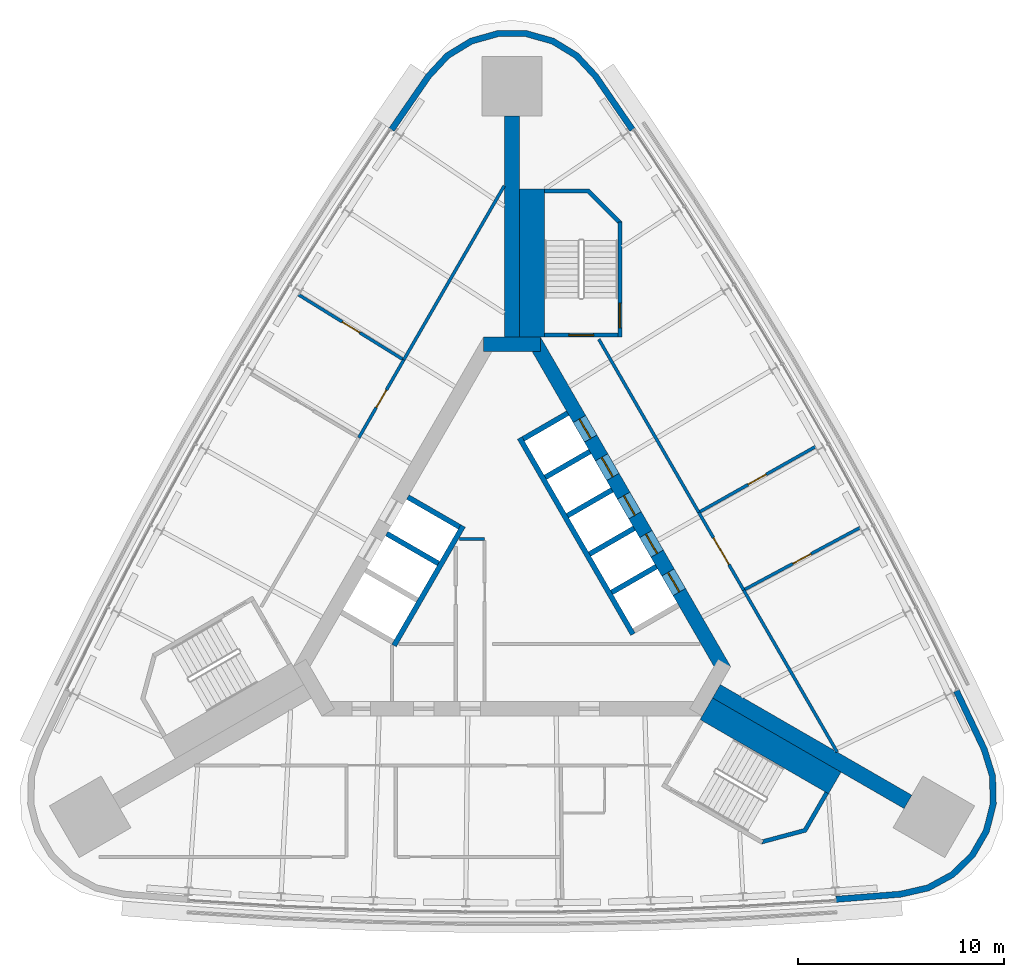
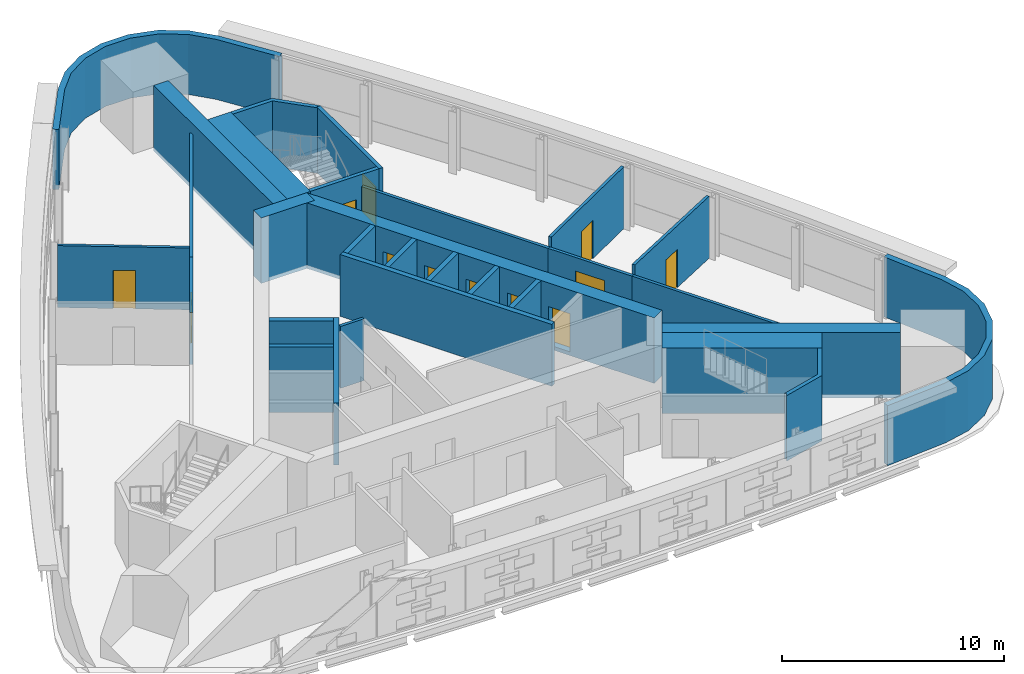
# One storey, part 9 of 12: 30 walls, 12 doors, 12 openings.
"""IFC4 building model written with IfcOpenShell, lengths in metres."""

from ifc_helpers import new_model, si_unit, direction, frame, frame_2d, origin, place, context, subcontext, project, spatial, polyline, rectangle, outline, extrude, material, layer, layer_set, type_object, element, fill, save


model = new_model("IFC4")

# Units and contexts
model_context = context("Model", 3, precision=1e-05, world=origin(), true_north=direction((0.0, 1.0)))
body_context = subcontext(model_context, "Body", "Model", "MODEL_VIEW")
ifc_project = project(units=[si_unit("LENGTHUNIT", "METRE"), si_unit("AREAUNIT", "SQUARE_METRE"), si_unit("VOLUMEUNIT", "CUBIC_METRE"), si_unit("PLANEANGLEUNIT", "RADIAN"), si_unit("MASSUNIT", "GRAM", prefix="KILO")], contexts=[model_context])

# Site, building, storey
site_placement = place(None, origin())
site = spatial("IfcSite", under=ifc_project, at=site_placement, CompositionType="ELEMENT")
building_placement = place(site_placement, origin())
building = spatial("IfcBuilding", under=site, at=building_placement, Name="Noor Cloister Tower", CompositionType="ELEMENT")
storey_placement = place(building_placement, frame((0.0, 0.0, 150.89990234375)))
storey = spatial("IfcBuildingStorey", under=building, at=storey_placement, Name="L38", CompositionType="ELEMENT", Elevation=150.89990234375)

# Walls
ifc_material_1 = material(Name="Concrete C70/85", Category="concrete")
ifc_layer_1 = layer(ifc_material_1, 0.75)
ifc_layer_set_1 = layer_set([ifc_layer_1], Name="Buttress wall 750 C70/85")
wall_type_1 = type_object("IfcWallType", Name="Buttress wall 750 C70/85", PredefinedType="SHEAR", material=ifc_layer_set_1)
wall_1_placement = place(storey_placement, frame((0.0, 11.456298828125, -0.199951171875), z_axis=(0.0, 0.0, 1.0), x_axis=(0.0, 1.0, 0.0)))
element("IfcWall", 1, at=wall_1_placement, inside=storey, type_object=wall_type_1, Name="Buttress wall N L38", PredefinedType="SHEAR", context=body_context, shape_type="SweptSolid", body=[
    extrude(rectangle(XDim=10.735595703125, YDim=0.75, at=frame_2d((5.36767578125, 0.0))), origin(), (0.0, 0.0, 1.0), 3.60009765625),
])
wall_2_placement = place(storey_placement, frame((9.921630859375, -5.728271484375, -0.199951171875), z_axis=(0.0, 0.0, 1.0), x_axis=(0.86602614826, -0.499998710529, 0.0)))
element("IfcWall", 2, at=wall_2_placement, inside=storey, type_object=wall_type_1, Name="Buttress wall SE L38", PredefinedType="SHEAR", context=body_context, shape_type="SweptSolid", body=[
    extrude(rectangle(XDim=10.7353515625, YDim=0.75, at=frame_2d((5.36767578125, 0.0))), origin(), (0.0, 0.0, 1.0), 3.60009765625),
])
ifc_material_2 = material(Name="Concrete C30/37", Category="concrete")
ifc_layer_2 = layer(ifc_material_2, 0.14990234375)
ifc_layer_set_2 = layer_set([ifc_layer_2], Name="Core partition 150 C30/37")
wall_type_2 = type_object("IfcWallType", Name="Core partition 150 C30/37", PredefinedType="PARTITIONING", material=ifc_layer_set_2)
wall_3_placement = place(storey_placement, frame((-2.544189453125, 1.671875, 0.0), z_axis=(0.0, 0.0, 1.0), x_axis=(1.0, 0.0, 0.0)))
element("IfcWall", 3, at=wall_3_placement, inside=storey, type_object=wall_type_2, Name="Core room partition L38 4", PredefinedType="PARTITIONING", context=body_context, shape_type="SweptSolid", body=[
    extrude(rectangle(XDim=1.215576171875, YDim=0.14990234375, at=frame_2d((0.60791015625, 0.0))), origin(), (0.0, 0.0, 1.0), 3.400146484375),
])

# Wall, openings, doors
ifc_material_3 = material(Name="Concrete C70/85", Category="concrete")
ifc_layer_3 = layer(ifc_material_3, 0.699951171875)
ifc_layer_set_3 = layer_set([ifc_layer_3], Name="Core wall 700 C70/85")
wall_type_3 = type_object("IfcWallType", Name="Core wall 700 C70/85", PredefinedType="SHEAR", material=ifc_layer_set_3)
wall_4_placement = place(storey_placement, frame((10.311279296875, -4.703125, -0.199951171875), z_axis=(0.0, 0.0, 1.0), x_axis=(-0.500001446645, 0.866024568562, 0.0)))
wall_4 = element("IfcWall", 4, at=wall_4_placement, inside=storey, type_object=wall_type_3, Name="Core wall L38 3", PredefinedType="SHEAR", context=body_context, shape_type="SweptSolid", body=[
    extrude(rectangle(XDim=18.45751953125, YDim=0.699951171875, at=frame_2d((9.228759765625, 0.0))), origin(), (0.0, 0.0, 1.0), 3.60009765625),
])
opening_1_placement = place(wall_4_placement, frame((4.378662109375, 0.0, 0.199951171875)))
opening_1 = element("IfcOpeningElement", 5, at=opening_1_placement, cuts=wall_4, Name="Opening L38-HR1", PredefinedType="OPENING", context=body_context, shape_type="SweptSolid", body=[
    extrude(rectangle(XDim=1.10009765625, YDim=2.10009765625, at=frame_2d((0.550048828125, 1.050048828125))), frame((0.0, 0.35986328125, 0.0), z_axis=(0.0, -1.0, 0.0), x_axis=(1.0, 0.0, 0.0)), (0.0, 0.0, 1.0), 0.719970703125),
])
opening_2_placement = place(wall_4_placement, frame((6.52880859375, 0.0, 0.199951171875)))
opening_2 = element("IfcOpeningElement", 6, at=opening_2_placement, cuts=wall_4, Name="Opening L38-HR2", PredefinedType="OPENING", context=body_context, shape_type="SweptSolid", body=[
    extrude(rectangle(XDim=1.10009765625, YDim=2.10009765625, at=frame_2d((0.550048828125, 1.050048828125))), frame((0.0, 0.35986328125, 0.0), z_axis=(0.0, -1.0, 0.0), x_axis=(1.0, 0.0, 0.0)), (0.0, 0.0, 1.0), 0.719970703125),
])
opening_3_placement = place(wall_4_placement, frame((8.6787109375, 0.0, 0.199951171875)))
opening_3 = element("IfcOpeningElement", 7, at=opening_3_placement, cuts=wall_4, Name="Opening L38-HR3", PredefinedType="OPENING", context=body_context, shape_type="SweptSolid", body=[
    extrude(rectangle(XDim=1.10009765625, YDim=2.10009765625, at=frame_2d((0.550048828125, 1.050048828125))), frame((0.0, 0.35986328125, 0.0), z_axis=(0.0, -1.0, 0.0), x_axis=(1.0, 0.0, 0.0)), (0.0, 0.0, 1.0), 0.719970703125),
])
opening_4_placement = place(wall_4_placement, frame((10.82861328125, 0.0, 0.199951171875)))
opening_4 = element("IfcOpeningElement", 8, at=opening_4_placement, cuts=wall_4, Name="Opening L38-HR4", PredefinedType="OPENING", context=body_context, shape_type="SweptSolid", body=[
    extrude(rectangle(XDim=1.10009765625, YDim=2.10009765625, at=frame_2d((0.550048828125, 1.050048828125))), frame((0.0, 0.35986328125, 0.0), z_axis=(0.0, -1.0, 0.0), x_axis=(1.0, 0.0, 0.0)), (0.0, 0.0, 1.0), 0.719970703125),
])
opening_5_placement = place(wall_4_placement, frame((12.978759765625, 0.0, 0.199951171875)))
opening_5 = element("IfcOpeningElement", 9, at=opening_5_placement, cuts=wall_4, Name="Opening L38-HR5", PredefinedType="OPENING", context=body_context, shape_type="SweptSolid", body=[
    extrude(rectangle(XDim=1.10009765625, YDim=2.10009765625, at=frame_2d((0.550048828125, 1.050048828125))), frame((0.0, 0.35986328125, 0.0), z_axis=(0.0, -1.0, 0.0), x_axis=(1.0, 0.0, 0.0)), (0.0, 0.0, 1.0), 0.719970703125),
])
ifc_material_4 = material(Name="Stainless steel", Category="steel")
door_type_1 = type_object("IfcDoorType", Name="Lift landing door 1100 x 2100", OperationType="DOUBLE_DOOR_SLIDING", PredefinedType="DOOR", material=ifc_material_4)
door_1_placement = place(opening_1_placement, origin())
door_1 = element("IfcDoor", 10, at=door_1_placement, inside=storey, type_object=door_type_1, Name="Landing door HR1 L38", OperationType="DOUBLE_DOOR_SLIDING", OverallHeight=2.10009765625, OverallWidth=1.10009765625, PredefinedType="DOOR", context=body_context, shape_type="SweptSolid", body=[
    extrude(rectangle(XDim=1.10009765625, YDim=2.10009765625, at=frame_2d((0.550048828125, 1.050048828125))), frame((0.0, 0.02490234375, 0.0), z_axis=(0.0, -1.0, 0.0), x_axis=(1.0, 0.0, 0.0)), (0.0, 0.0, 1.0), 0.050048828125),
])
fill(opening_1, door_1)
door_2_placement = place(opening_2_placement, origin())
door_2 = element("IfcDoor", 11, at=door_2_placement, inside=storey, type_object=door_type_1, Name="Landing door HR2 L38", OperationType="DOUBLE_DOOR_SLIDING", OverallHeight=2.10009765625, OverallWidth=1.10009765625, PredefinedType="DOOR", context=body_context, shape_type="SweptSolid", body=[
    extrude(rectangle(XDim=1.10009765625, YDim=2.10009765625, at=frame_2d((0.550048828125, 1.050048828125))), frame((0.0, 0.02490234375, 0.0), z_axis=(0.0, -1.0, 0.0), x_axis=(1.0, 0.0, 0.0)), (0.0, 0.0, 1.0), 0.050048828125),
])
fill(opening_2, door_2)
door_3_placement = place(opening_3_placement, origin())
door_3 = element("IfcDoor", 12, at=door_3_placement, inside=storey, type_object=door_type_1, Name="Landing door HR3 L38", OperationType="DOUBLE_DOOR_SLIDING", OverallHeight=2.10009765625, OverallWidth=1.10009765625, PredefinedType="DOOR", context=body_context, shape_type="SweptSolid", body=[
    extrude(rectangle(XDim=1.10009765625, YDim=2.10009765625, at=frame_2d((0.550048828125, 1.050048828125))), frame((0.0, 0.02490234375, 0.0), z_axis=(0.0, -1.0, 0.0), x_axis=(1.0, 0.0, 0.0)), (0.0, 0.0, 1.0), 0.050048828125),
])
fill(opening_3, door_3)
door_4_placement = place(opening_4_placement, origin())
door_4 = element("IfcDoor", 13, at=door_4_placement, inside=storey, type_object=door_type_1, Name="Landing door HR4 L38", OperationType="DOUBLE_DOOR_SLIDING", OverallHeight=2.10009765625, OverallWidth=1.10009765625, PredefinedType="DOOR", context=body_context, shape_type="SweptSolid", body=[
    extrude(rectangle(XDim=1.10009765625, YDim=2.10009765625, at=frame_2d((0.550048828125, 1.050048828125))), frame((0.0, 0.02490234375, 0.0), z_axis=(0.0, -1.0, 0.0), x_axis=(1.0, 0.0, 0.0)), (0.0, 0.0, 1.0), 0.050048828125),
])
fill(opening_4, door_4)
door_5_placement = place(opening_5_placement, origin())
door_5 = element("IfcDoor", 14, at=door_5_placement, inside=storey, type_object=door_type_1, Name="Landing door HR5 L38", OperationType="DOUBLE_DOOR_SLIDING", OverallHeight=2.10009765625, OverallWidth=1.10009765625, PredefinedType="DOOR", context=body_context, shape_type="SweptSolid", body=[
    extrude(rectangle(XDim=1.10009765625, YDim=2.10009765625, at=frame_2d((0.550048828125, 1.050048828125))), frame((0.0, 0.02490234375, 0.0), z_axis=(0.0, -1.0, 0.0), x_axis=(1.0, 0.0, 0.0)), (0.0, 0.0, 1.0), 0.050048828125),
])
fill(opening_5, door_5)

# Walls
wall_5_placement = place(storey_placement, frame((1.3857421875, 11.1064453125, -0.199951171875), z_axis=(0.0, 0.0, 1.0), x_axis=(-1.0, 0.0, 0.0)))
element("IfcWall", 15, at=wall_5_placement, inside=storey, type_object=wall_type_3, Name="Core wall L38 4", PredefinedType="SHEAR", context=body_context, shape_type="SweptSolid", body=[
    extrude(rectangle(XDim=2.771484375, YDim=0.699951171875, at=frame_2d((1.3857421875, 0.0))), origin(), (0.0, 0.0, 1.0), 3.60009765625),
])
ifc_material_5 = material(Name="Fire-rated gypsum board partition on steel studs, 150 mm", Category="steel")
ifc_layer_4 = layer(ifc_material_5, 0.14990234375)
ifc_layer_set_4 = layer_set([ifc_layer_4], Name="Fire lobby wall 150")
wall_type_4 = type_object("IfcWallType", Name="Fire lobby wall 150", PredefinedType="PARTITIONING", material=ifc_layer_set_4)
wall_6_placement = place(storey_placement, frame((-0.375, 18.806884765625, 0.0), z_axis=(0.0, 0.0, 1.0), x_axis=(-0.500002508028, -0.866023955769, 0.0)))
element("IfcWall", 16, at=wall_6_placement, inside=storey, type_object=wall_type_4, Name="Wall L38-W16", PredefinedType="PARTITIONING", context=body_context, shape_type="SweptSolid", body=[
    extrude(rectangle(XDim=9.759765625, YDim=0.14990234375, at=frame_2d((4.8798828125, 0.0))), origin(), (0.0, 0.0, 1.0), 2.84716796875),
])

# Wall, opening, door
wall_7_placement = place(storey_placement, frame((-5.2548828125, 10.354736328125, 0.0), z_axis=(0.0, 0.0, 1.0), x_axis=(-0.499980937175, -0.866036409432, 0.0)))
wall_7 = element("IfcWall", 17, at=wall_7_placement, inside=storey, type_object=wall_type_4, Name="Wall L38-W20", PredefinedType="PARTITIONING", context=body_context, shape_type="SweptSolid", body=[
    extrude(rectangle(XDim=4.360595703125, YDim=0.14990234375, at=frame_2d((2.18017578125, 0.0))), origin(), (0.0, 0.0, 1.0), 2.84716796875),
])
opening_6_placement = place(wall_7_placement, frame((1.68017578125, 0.0, 0.0)))
opening_6 = element("IfcOpeningElement", 18, at=opening_6_placement, cuts=wall_7, Name="Opening L38-011", PredefinedType="OPENING", context=body_context, shape_type="SweptSolid", body=[
    extrude(rectangle(XDim=1.0, YDim=2.10009765625, at=frame_2d((0.5, 1.050048828125))), frame((0.0, 0.0849609375, 0.0), z_axis=(0.0, -1.0, 0.0), x_axis=(1.0, 0.0, 0.0)), (0.0, 0.0, 1.0), 0.169921875),
])
ifc_material_6 = material(Name="Timber door leaf with steel frame", Category="steel")
door_type_2 = type_object("IfcDoorType", Name="Fire lobby door 1000", OperationType="NOTDEFINED", PredefinedType="DOOR", material=ifc_material_6)
door_6_placement = place(opening_6_placement, origin())
door_6 = element("IfcDoor", 19, at=door_6_placement, inside=storey, type_object=door_type_2, Name="Door L38-011", OperationType="SINGLE_SWING_LEFT", OverallHeight=2.10009765625, OverallWidth=1.0, PredefinedType="DOOR", context=body_context, shape_type="SweptSolid", body=[
    extrude(rectangle(XDim=1.0, YDim=2.10009765625, at=frame_2d((0.5, 1.050048828125))), frame((0.0, 0.02490234375, 0.0), z_axis=(0.0, -1.0, 0.0), x_axis=(1.0, 0.0, 0.0)), (0.0, 0.0, 1.0), 0.050048828125),
])
fill(opening_6, door_6)

# Walls
ifc_material_7 = material(Name="Gypsum board partition on steel studs, 150 mm", Category="steel")
ifc_layer_5 = layer(ifc_material_7, 0.14990234375)
ifc_layer_set_5 = layer_set([ifc_layer_5], Name="Flat wall 150")
wall_type_5 = type_object("IfcWallType", Name="Flat wall 150", PredefinedType="PARTITIONING", material=ifc_layer_set_5)
wall_8_placement = place(storey_placement, frame((15.781982421875, -8.6787109375, 0.0), z_axis=(0.0, 0.0, 1.0), x_axis=(-0.500005644317, 0.866022145012, 0.0)))
element("IfcWall", 20, at=wall_8_placement, inside=storey, type_object=wall_type_5, Name="Wall L38-W01", PredefinedType="PARTITIONING", context=body_context, shape_type="SweptSolid", body=[
    extrude(rectangle(XDim=9.07958984375, YDim=0.14990234375, at=frame_2d((4.539794921875, 0.0))), origin(), (0.0, 0.0, 1.0), 2.84716796875),
])
wall_9_placement = place(storey_placement, frame((9.066162109375, 2.953369140625, 0.0), z_axis=(0.0, 0.0, 1.0), x_axis=(-0.500003417229, 0.866023430837, 0.0)))
element("IfcWall", 21, at=wall_9_placement, inside=storey, type_object=wall_type_5, Name="Wall L38-W02", PredefinedType="PARTITIONING", context=body_context, shape_type="SweptSolid", body=[
    extrude(rectangle(XDim=9.703125, YDim=0.14990234375, at=frame_2d((4.8515625, 0.0))), origin(), (0.0, 0.0, 1.0), 2.84716796875),
])

# Wall, opening, door
wall_10_placement = place(storey_placement, frame((16.900634765625, 2.220703125, 0.0), z_axis=(0.0, 0.0, 1.0), x_axis=(-0.881144631688, -0.472846844177, 0.0)))
wall_10 = element("IfcWall", 22, at=wall_10_placement, inside=storey, type_object=wall_type_5, Name="Wall L38-W03", PredefinedType="PARTITIONING", context=body_context, shape_type="SweptSolid", body=[
    extrude(rectangle(XDim=6.3466796875, YDim=0.14990234375, at=frame_2d((3.17333984375, 0.0))), origin(), (0.0, 0.0, 1.0), 3.400146484375),
])
opening_7_placement = place(wall_10_placement, frame((2.710693359375, 0.0, 0.0)))
opening_7 = element("IfcOpeningElement", 23, at=opening_7_placement, cuts=wall_10, Name="Opening L38-002", PredefinedType="OPENING", context=body_context, shape_type="SweptSolid", body=[
    extrude(rectangle(XDim=1.0, YDim=2.10009765625, at=frame_2d((0.5, 1.050048828125))), frame((0.0, 0.0849609375, 0.0), z_axis=(0.0, -1.0, 0.0), x_axis=(1.0, 0.0, 0.0)), (0.0, 0.0, 1.0), 0.169921875),
])
ifc_material_8 = material(Name="Timber door leaf with steel frame", Category="steel")
door_type_3 = type_object("IfcDoorType", Name="Interior door 1000 FD60", OperationType="NOTDEFINED", PredefinedType="DOOR", material=ifc_material_8)
door_7_placement = place(opening_7_placement, origin())
door_7 = element("IfcDoor", 24, at=door_7_placement, inside=storey, type_object=door_type_3, Name="Door L38-002", OperationType="SINGLE_SWING_RIGHT", OverallHeight=2.10009765625, OverallWidth=1.0, PredefinedType="DOOR", context=body_context, shape_type="SweptSolid", body=[
    extrude(rectangle(XDim=1.0, YDim=2.10009765625, at=frame_2d((0.5, 1.050048828125))), frame((0.0, 0.02490234375, 0.0), z_axis=(0.0, -1.0, 0.0), x_axis=(1.0, 0.0, 0.0)), (0.0, 0.0, 1.0), 0.050048828125),
])
fill(opening_7, door_7)

wall_11_placement = place(storey_placement, frame((14.7353515625, 6.148681640625, 0.0), z_axis=(0.0, 0.0, 1.0), x_axis=(-0.871163720424, -0.490992639676, 0.0)))
wall_11 = element("IfcWall", 25, at=wall_11_placement, inside=storey, type_object=wall_type_5, Name="Wall L38-W04", PredefinedType="PARTITIONING", context=body_context, shape_type="SweptSolid", body=[
    extrude(rectangle(XDim=6.432861328125, YDim=0.14990234375, at=frame_2d((3.21630859375, 0.0))), origin(), (0.0, 0.0, 1.0), 3.400146484375),
])
opening_8_placement = place(wall_11_placement, frame((2.75390625, 0.0, 0.0)))
opening_8 = element("IfcOpeningElement", 26, at=opening_8_placement, cuts=wall_11, Name="Opening L38-003", PredefinedType="OPENING", context=body_context, shape_type="SweptSolid", body=[
    extrude(rectangle(XDim=1.0, YDim=2.10009765625, at=frame_2d((0.5, 1.050048828125))), frame((0.0, 0.0849609375, 0.0), z_axis=(0.0, -1.0, 0.0), x_axis=(1.0, 0.0, 0.0)), (0.0, 0.0, 1.0), 0.169921875),
])
door_8_placement = place(opening_8_placement, origin())
door_8 = element("IfcDoor", 27, at=door_8_placement, inside=storey, type_object=door_type_3, Name="Door L38-003", OperationType="SINGLE_SWING_LEFT", OverallHeight=2.10009765625, OverallWidth=1.0, PredefinedType="DOOR", context=body_context, shape_type="SweptSolid", body=[
    extrude(rectangle(XDim=1.0, YDim=2.10009765625, at=frame_2d((0.5, 1.050048828125))), frame((0.0, 0.02490234375, 0.0), z_axis=(0.0, -1.0, 0.0), x_axis=(1.0, 0.0, 0.0)), (0.0, 0.0, 1.0), 0.050048828125),
])
fill(opening_8, door_8)

wall_12_placement = place(storey_placement, frame((11.2421875, -0.815673828125, 0.0), z_axis=(0.0, 0.0, 1.0), x_axis=(-0.499994385119, 0.866028645513, 0.0)))
wall_12 = element("IfcWall", 28, at=wall_12_placement, inside=storey, type_object=wall_type_5, Name="Wall L38-W05", PredefinedType="PARTITIONING", context=body_context, shape_type="SweptSolid", body=[
    extrude(rectangle(XDim=4.35205078125, YDim=0.14990234375, at=frame_2d((2.176025390625, 0.0))), origin(), (0.0, 0.0, 1.0), 2.84716796875),
])
opening_9_placement = place(wall_12_placement, frame((1.42626953125, 0.0, 0.0)))
opening_9 = element("IfcOpeningElement", 29, at=opening_9_placement, cuts=wall_12, Name="Opening L38-001", PredefinedType="OPENING", context=body_context, shape_type="SweptSolid", body=[
    extrude(rectangle(XDim=1.5, YDim=2.10009765625, at=frame_2d((0.75, 1.050048828125))), frame((0.0, 0.0849609375, 0.0), z_axis=(0.0, -1.0, 0.0), x_axis=(1.0, 0.0, 0.0)), (0.0, 0.0, 1.0), 0.169921875),
])
ifc_material_9 = material(Name="Timber door leaf with steel frame", Category="steel")
door_type_4 = type_object("IfcDoorType", Name="Double door 1500 FD60", OperationType="NOTDEFINED", PredefinedType="DOOR", material=ifc_material_9)
door_9_placement = place(opening_9_placement, origin())
door_9 = element("IfcDoor", 30, at=door_9_placement, inside=storey, type_object=door_type_4, Name="Door L38-001", OperationType="DOUBLE_DOOR_SINGLE_SWING", OverallHeight=2.10009765625, OverallWidth=1.5, PredefinedType="DOOR", context=body_context, shape_type="SweptSolid", body=[
    extrude(rectangle(XDim=1.5, YDim=2.10009765625, at=frame_2d((0.75, 1.050048828125))), frame((0.0, 0.02490234375, 0.0), z_axis=(0.0, -1.0, 0.0), x_axis=(1.0, 0.0, 0.0)), (0.0, 0.0, 1.0), 0.050048828125),
])
fill(opening_9, door_9)

wall_13_placement = place(storey_placement, frame((-10.37353515625, 13.526123046875, 0.0), z_axis=(0.0, 0.0, 1.0), x_axis=(0.85006997005, -0.526669769418, 0.0)))
wall_13 = element("IfcWall", 31, at=wall_13_placement, inside=storey, type_object=wall_type_5, Name="Wall L38-W18", PredefinedType="PARTITIONING", context=body_context, shape_type="SweptSolid", body=[
    extrude(rectangle(XDim=5.946533203125, YDim=0.14990234375, at=frame_2d((2.97314453125, 0.0))), origin(), (0.0, 0.0, 1.0), 3.400146484375),
])
opening_10_placement = place(wall_13_placement, frame((2.5107421875, 0.0, 0.0)))
opening_10 = element("IfcOpeningElement", 32, at=opening_10_placement, cuts=wall_13, Name="Opening L38-012", PredefinedType="OPENING", context=body_context, shape_type="SweptSolid", body=[
    extrude(rectangle(XDim=1.0, YDim=2.10009765625, at=frame_2d((0.5, 1.050048828125))), frame((0.0, 0.0849609375, 0.0), z_axis=(0.0, -1.0, 0.0), x_axis=(1.0, 0.0, 0.0)), (0.0, 0.0, 1.0), 0.169921875),
])
door_10_placement = place(opening_10_placement, origin())
door_10 = element("IfcDoor", 33, at=door_10_placement, inside=storey, type_object=door_type_3, Name="Door L38-012", OperationType="SINGLE_SWING_RIGHT", OverallHeight=2.10009765625, OverallWidth=1.0, PredefinedType="DOOR", context=body_context, shape_type="SweptSolid", body=[
    extrude(rectangle(XDim=1.0, YDim=2.10009765625, at=frame_2d((0.5, 1.050048828125))), frame((0.0, 0.02490234375, 0.0), z_axis=(0.0, -1.0, 0.0), x_axis=(1.0, 0.0, 0.0)), (0.0, 0.0, 1.0), 0.050048828125),
])
fill(opening_10, door_10)

# Walls
ifc_material_10 = material(Name="Limestone", Category="masonry")
ifc_layer_6 = layer(ifc_material_10, 0.300048828125)
ifc_layer_set_6 = layer_set([ifc_layer_6], Name="Limestone cladding 300")
wall_type_6 = type_object("IfcWallType", Name="Limestone cladding 300", PredefinedType="NOTDEFINED", material=ifc_layer_set_6)
wall_14_placement = place(storey_placement, origin())
element("IfcWall", 34, at=wall_14_placement, inside=storey, type_object=wall_type_6, Name="Limestone pier cladding L38 2.1", PredefinedType="NOTDEFINED", context=body_context, shape_type="SweptSolid", body=[
    extrude(outline(polyline([(15.736083984375, -15.97607421875), (18.88671875, -15.72412109375), (20.2451171875, -15.414306640625), (21.46875, -14.748046875), (22.466064453125, -13.775146484375), (23.162841796875, -12.568603515625), (23.506591796875, -11.218505859375), (23.4716796875, -9.82568359375), (23.060791015625, -8.494384765625), (21.703857421875, -5.639892578125), (21.432861328125, -5.768798828125), (22.780517578125, -8.603515625), (23.1728515625, -9.87451171875), (23.20556640625, -11.1845703125), (22.88232421875, -12.45458984375), (22.22705078125, -13.58935546875), (21.288818359375, -14.50439453125), (20.137939453125, -15.130859375), (18.84130859375, -15.4267578125), (15.712158203125, -15.677001953125), (15.736083984375, -15.97607421875)])), origin(), (0.0, 0.0, 1.0), 3.300048828125),
])
wall_15_placement = place(storey_placement, origin())
element("IfcWall", 35, at=wall_15_placement, inside=storey, type_object=wall_type_6, Name="Limestone pier cladding L38 3.1", PredefinedType="NOTDEFINED", context=body_context, shape_type="SweptSolid", body=[
    extrude(outline(polyline([(5.967529296875, 21.615966796875), (4.174072265625, 24.218505859375), (3.2265625, 25.239990234375), (2.037841796875, 25.966552734375), (0.696533203125, 26.34375), (-0.696533203125, 26.34375), (-2.037841796875, 25.966552734375), (-3.2265625, 25.239990234375), (-4.174072265625, 24.218505859375), (-5.967529296875, 21.615966796875), (-5.720703125, 21.44580078125), (-3.939453125, 24.0302734375), (-3.03466796875, 25.00537109375), (-1.916748046875, 25.68896484375), (-0.6552734375, 26.0439453125), (0.6552734375, 26.0439453125), (1.916748046875, 25.68896484375), (3.03466796875, 25.00537109375), (3.939453125, 24.0302734375), (5.720703125, 21.44580078125), (5.967529296875, 21.615966796875)])), origin(), (0.0, 0.0, 1.0), 3.300048828125),
])
ifc_material_11 = material(Name="Concrete C70/85", Category="concrete")
ifc_layer_7 = layer(ifc_material_11, 0.25)
ifc_layer_set_7 = layer_set([ifc_layer_7], Name="Shaft wall 250 C70/85")
wall_type_7 = type_object("IfcWallType", Name="Shaft wall 250 C70/85", PredefinedType="PARTITIONING", material=ifc_layer_set_7)
wall_16_placement = place(storey_placement, frame((7.00634765625, 0.3212890625, -0.199951171875), z_axis=(0.0, 0.0, 1.0), x_axis=(-0.866022959057, -0.500004234368, 0.0)))
element("IfcWall", 36, at=wall_16_placement, inside=storey, type_object=wall_type_7, Name="Lift shaft wall L38 NE 2", PredefinedType="PARTITIONING", context=body_context, shape_type="SweptSolid", body=[
    extrude(rectangle(XDim=2.5, YDim=0.25, at=frame_2d((1.25, 0.0))), origin(), (0.0, 0.0, 1.0), 3.60009765625),
])
wall_17_placement = place(storey_placement, frame((5.931396484375, 2.18310546875, -0.199951171875), z_axis=(0.0, 0.0, 1.0), x_axis=(-0.866047370643, -0.499961950354, 0.0)))
element("IfcWall", 37, at=wall_17_placement, inside=storey, type_object=wall_type_7, Name="Lift shaft wall L38 NE 3", PredefinedType="PARTITIONING", context=body_context, shape_type="SweptSolid", body=[
    extrude(rectangle(XDim=2.500244140625, YDim=0.25, at=frame_2d((1.25, 0.0))), origin(), (0.0, 0.0, 1.0), 3.60009765625),
])
for number, where, z_axis, x_axis, name in (
    (38, (4.856201171875, 4.045166015625, -0.199951171875), (0.0, 0.0, 1.0), (-0.866022959057, -0.500004234368, 0.0), "Lift shaft wall L38 NE 4"),
    (39, (3.78125, 5.906982421875, -0.199951171875), (0.0, 0.0, 1.0), (-0.866022959057, -0.500004234368, 0.0), "Lift shaft wall L38 NE 5"),
    (40, (2.706298828125, 7.76904296875, -0.199951171875), (0.0, 0.0, 1.0), (-0.866022959057, -0.500004234368, 0.0), "Lift shaft wall L38 NE 6"),
):
    element("IfcWall", number, at=place(storey_placement, frame(where, z_axis=z_axis, x_axis=x_axis)), inside=storey, type_object=wall_type_7, Name=name, PredefinedType="PARTITIONING", context=body_context, shape_type="SweptSolid", body=[
        extrude(rectangle(XDim=2.5, YDim=0.25, at=frame_2d((1.25, 0.0))), origin(), (0.0, 0.0, 1.0), 3.60009765625),
    ])
wall_18_placement = place(storey_placement, frame((5.870361328125, -2.96142578125, 0.0), z_axis=(0.0, 0.0, 1.0), x_axis=(-0.50000615651, 0.866021849293, 0.0)))
element("IfcWall", 41, at=wall_18_placement, inside=storey, type_object=wall_type_7, Name="Lift shaft back wall L38 NE", PredefinedType="PARTITIONING", context=body_context, shape_type="SweptSolid", body=[
    extrude(rectangle(XDim=10.999755859375, YDim=0.25, at=frame_2d((5.5, 0.0))), origin(), (0.0, 0.0, 1.0), 3.400146484375),
])
for number, where, z_axis, x_axis, name in (
    (42, (-5.056396484375, 3.69873046875, -0.199951171875), (0.0, 0.0, 1.0), (0.866032775405, -0.499987231761, 0.0), "Lift shaft wall L38 NW 3"),
    (43, (-6.081298828125, 1.92333984375, -0.199951171875), (0.0, 0.0, 1.0), (0.866032775405, -0.499987231761, 0.0), "Lift shaft wall L38 NW 4"),
):
    element("IfcWall", number, at=place(storey_placement, frame(where, z_axis=z_axis, x_axis=x_axis)), inside=storey, type_object=wall_type_7, Name=name, PredefinedType="PARTITIONING", context=body_context, shape_type="SweptSolid", body=[
        extrude(rectangle(XDim=2.89990234375, YDim=0.25, at=frame_2d((1.449951171875, 0.0))), origin(), (0.0, 0.0, 1.0), 3.60009765625),
    ])
wall_19_placement = place(storey_placement, frame((-2.3740234375, 2.29443359375, 0.0), z_axis=(0.0, 0.0, 1.0), x_axis=(-0.500003174267, -0.866023571113, 0.0)))
element("IfcWall", 44, at=wall_19_placement, inside=storey, type_object=wall_type_7, Name="Lift shaft back wall L38 NW", PredefinedType="PARTITIONING", context=body_context, shape_type="SweptSolid", body=[
    extrude(rectangle(XDim=6.7001953125, YDim=0.25, at=frame_2d((3.35009765625, 0.0))), origin(), (0.0, 0.0, 1.0), 3.400146484375),
])
ifc_material_12 = material(Name="Concrete C70/85", Category="concrete")
ifc_layer_8 = layer(ifc_material_12, 1.2109375)
ifc_layer_set_8 = layer_set([ifc_layer_8], Name="Stair enclosure wall 1211 C70/85")
wall_type_8 = type_object("IfcWallType", Name="Stair enclosure wall 1211 C70/85", PredefinedType="SHEAR", material=ifc_layer_set_8)
wall_20_placement = place(storey_placement, frame((0.980224609375, 11.456298828125, -0.199951171875), z_axis=(0.0, 0.0, 1.0), x_axis=(0.0, 1.0, 0.0)))
element("IfcWall", 45, at=wall_20_placement, inside=storey, type_object=wall_type_8, Name="Stair enclosure wall ST1 L38 riser side", PredefinedType="SHEAR", context=body_context, shape_type="SweptSolid", body=[
    extrude(rectangle(XDim=7.2001953125, YDim=1.210693359375, at=frame_2d((3.60009765625, 0.0))), origin(), (0.0, 0.0, 1.0), 3.60009765625),
])
wall_21_placement = place(storey_placement, frame((9.431396484375, -6.5771484375, -0.199951171875), z_axis=(0.0, 0.0, 1.0), x_axis=(0.866018442252, -0.500012057535, 0.0)))
element("IfcWall", 46, at=wall_21_placement, inside=storey, type_object=wall_type_8, Name="Stair enclosure wall ST3 L38 riser side", PredefinedType="SHEAR", context=body_context, shape_type="SweptSolid", body=[
    extrude(rectangle(XDim=7.199951171875, YDim=1.210693359375, at=frame_2d((3.60009765625, 0.0))), origin(), (0.0, 0.0, 1.0), 3.60009765625),
])

# Wall, opening, door
ifc_material_13 = material(Name="Concrete C70/85", Category="concrete")
ifc_layer_9 = layer(ifc_material_13, 0.199951171875)
ifc_layer_set_9 = layer_set([ifc_layer_9], Name="Stair enclosure wall 200 C70/85")
wall_type_9 = type_object("IfcWallType", Name="Stair enclosure wall 200 C70/85", PredefinedType="SHEAR", material=ifc_layer_set_9)
wall_22_placement = place(storey_placement, frame((5.135498046875, 11.556396484375, -0.199951171875), z_axis=(0.0, 0.0, 1.0), x_axis=(-1.0, 0.0, 0.0)))
wall_22 = element("IfcWall", 47, at=wall_22_placement, inside=storey, type_object=wall_type_9, Name="Stair enclosure wall ST1 L38 near end", PredefinedType="SHEAR", context=body_context, shape_type="SweptSolid", body=[
    extrude(rectangle(XDim=3.5498046875, YDim=0.199951171875, at=frame_2d((1.77490234375, 0.0))), origin(), (0.0, 0.0, 1.0), 3.60009765625),
])
opening_11_placement = place(wall_22_placement, frame((1.175048828125, 0.0, 0.199951171875)))
opening_11 = element("IfcOpeningElement", 48, at=opening_11_placement, cuts=wall_22, Name="Opening L38-ST1L", PredefinedType="OPENING", context=body_context, shape_type="SweptSolid", body=[
    extrude(rectangle(XDim=1.199951171875, YDim=2.10009765625, at=frame_2d((0.60009765625, 1.050048828125))), frame((0.0, 0.10986328125, 0.0), z_axis=(0.0, -1.0, 0.0), x_axis=(1.0, 0.0, 0.0)), (0.0, 0.0, 1.0), 0.219970703125),
])
ifc_material_14 = material(Name="Steel", Category="steel")
door_type_5 = type_object("IfcDoorType", Name="Stair door 1200 x 2100 FD120", OperationType="SINGLE_SWING_LEFT", PredefinedType="DOOR", material=ifc_material_14)
door_11_placement = place(opening_11_placement, origin())
door_11 = element("IfcDoor", 49, at=door_11_placement, inside=storey, type_object=door_type_5, Name="Stair door ST1 L38", OperationType="SINGLE_SWING_RIGHT", OverallHeight=2.10009765625, OverallWidth=1.199951171875, PredefinedType="DOOR", context=body_context, shape_type="SweptSolid", body=[
    extrude(rectangle(XDim=1.199951171875, YDim=2.10009765625, at=frame_2d((0.60009765625, 1.050048828125))), frame((0.0, 0.02490234375, 0.0), z_axis=(0.0, -1.0, 0.0), x_axis=(1.0, 0.0, 0.0)), (0.0, 0.0, 1.0), 0.050048828125),
])
fill(opening_11, door_11)

wall_23_placement = place(storey_placement, frame((5.235595703125, 11.456298828125, -0.199951171875), z_axis=(0.0, 0.0, 1.0), x_axis=(0.0, 1.0, 0.0)))
wall_23 = element("IfcWall", 50, at=wall_23_placement, inside=storey, type_object=wall_type_9, Name="Stair enclosure wall ST1 L38 outer side", PredefinedType="SHEAR", context=body_context, shape_type="SweptSolid", body=[
    extrude(rectangle(XDim=5.60009765625, YDim=0.199951171875, at=frame_2d((2.800048828125, 0.0))), origin(), (0.0, 0.0, 1.0), 3.60009765625),
])
opening_12_placement = place(wall_23_placement, frame((0.449951171875, 0.0, 0.199951171875)))
opening_12 = element("IfcOpeningElement", 51, at=opening_12_placement, cuts=wall_23, Name="Opening L38-ST1C", PredefinedType="OPENING", context=body_context, shape_type="SweptSolid", body=[
    extrude(rectangle(XDim=1.199951171875, YDim=2.10009765625, at=frame_2d((0.60009765625, 1.050048828125))), frame((0.0, 0.10986328125, 0.0), z_axis=(0.0, -1.0, 0.0), x_axis=(1.0, 0.0, 0.0)), (0.0, 0.0, 1.0), 0.219970703125),
])
door_12_placement = place(opening_12_placement, origin())
door_12 = element("IfcDoor", 52, at=door_12_placement, inside=storey, type_object=door_type_5, Name="Stair door ST1 L38", OperationType="SINGLE_SWING_LEFT", OverallHeight=2.10009765625, OverallWidth=1.199951171875, PredefinedType="DOOR", context=body_context, shape_type="SweptSolid", body=[
    extrude(rectangle(XDim=1.199951171875, YDim=2.10009765625, at=frame_2d((0.60009765625, 1.050048828125))), frame((0.0, 0.02490234375, 0.0), z_axis=(0.0, -1.0, 0.0), x_axis=(1.0, 0.0, 0.0)), (0.0, 0.0, 1.0), 0.050048828125),
])
fill(opening_12, door_12)

# Walls
ifc_material_15 = material(Name="Concrete C70/85", Category="concrete")
wall_type_10 = type_object("IfcWallType", Name="Stair far end wall C70/85", PredefinedType="SHEAR", material=ifc_material_15)
wall_24_placement = place(storey_placement, frame((0.0, 0.0, -0.199951171875)))
element("IfcWall", 53, at=wall_24_placement, inside=storey, type_object=wall_type_10, Name="Stair enclosure wall ST1 L38 far end", PredefinedType="SHEAR", context=body_context, shape_type="SweptSolid", body=[
    extrude(outline(polyline([(5.335693359375, 17.056396484375), (3.735595703125, 18.656494140625), (1.585693359375, 18.656494140625), (1.585693359375, 18.456298828125), (3.65283203125, 18.456298828125), (5.135498046875, 16.9736328125), (5.135498046875, 17.056396484375), (5.135498046875, 17.056396484375), (5.135498046875, 17.056396484375), (5.135498046875, 17.056396484375), (5.135498046875, 17.056396484375), (5.135498046875, 17.056396484375), (5.135498046875, 17.056396484375), (5.135498046875, 17.056396484375), (5.135498046875, 17.056396484375), (5.135498046875, 17.056396484375), (5.135498046875, 17.056396484375), (5.135498046875, 17.056396484375), (5.135498046875, 17.056396484375), (5.135498046875, 17.056396484375), (5.135498046875, 17.056396484375), (5.135498046875, 17.056396484375), (5.135498046875, 17.056396484375), (5.335693359375, 17.056396484375)])), origin(), (0.0, 0.0, 1.0), 3.60009765625),
])
wall_25_placement = place(storey_placement, frame((0.0, 0.0, -0.199951171875)))
element("IfcWall", 54, at=wall_25_placement, inside=storey, type_object=wall_type_10, Name="Stair enclosure wall ST3 L38 far end", PredefinedType="SHEAR", context=body_context, shape_type="SweptSolid", body=[
    extrude(outline(polyline([(12.103515625, -13.14892578125), (14.2890625, -12.5634765625), (15.364013671875, -10.701416015625), (15.19091796875, -10.601318359375), (14.1572265625, -12.3916015625), (12.131591796875, -12.934326171875), (12.20361328125, -12.975830078125), (12.20361328125, -12.975830078125), (12.20361328125, -12.975830078125), (12.20361328125, -12.975830078125), (12.20361328125, -12.975830078125), (12.20361328125, -12.975830078125), (12.20361328125, -12.975830078125), (12.20361328125, -12.975830078125), (12.20361328125, -12.975830078125), (12.20361328125, -12.975830078125), (12.20361328125, -12.975830078125), (12.20361328125, -12.975830078125), (12.20361328125, -12.975830078125), (12.20361328125, -12.975830078125), (12.20361328125, -12.975830078125), (12.20361328125, -12.975830078125), (12.20361328125, -12.975830078125), (12.103515625, -13.14892578125)])), origin(), (0.0, 0.0, 1.0), 3.60009765625),
])

save(model, "model.ifc")
